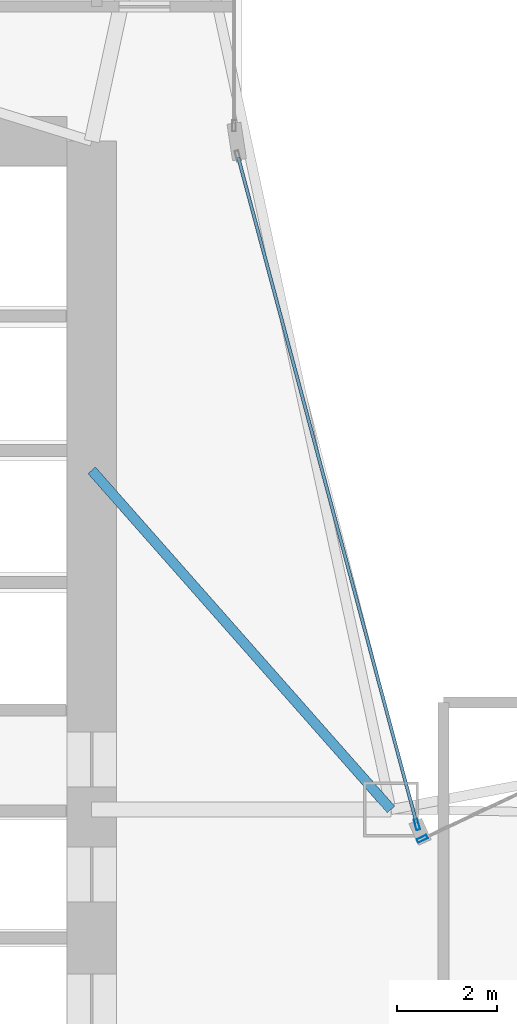
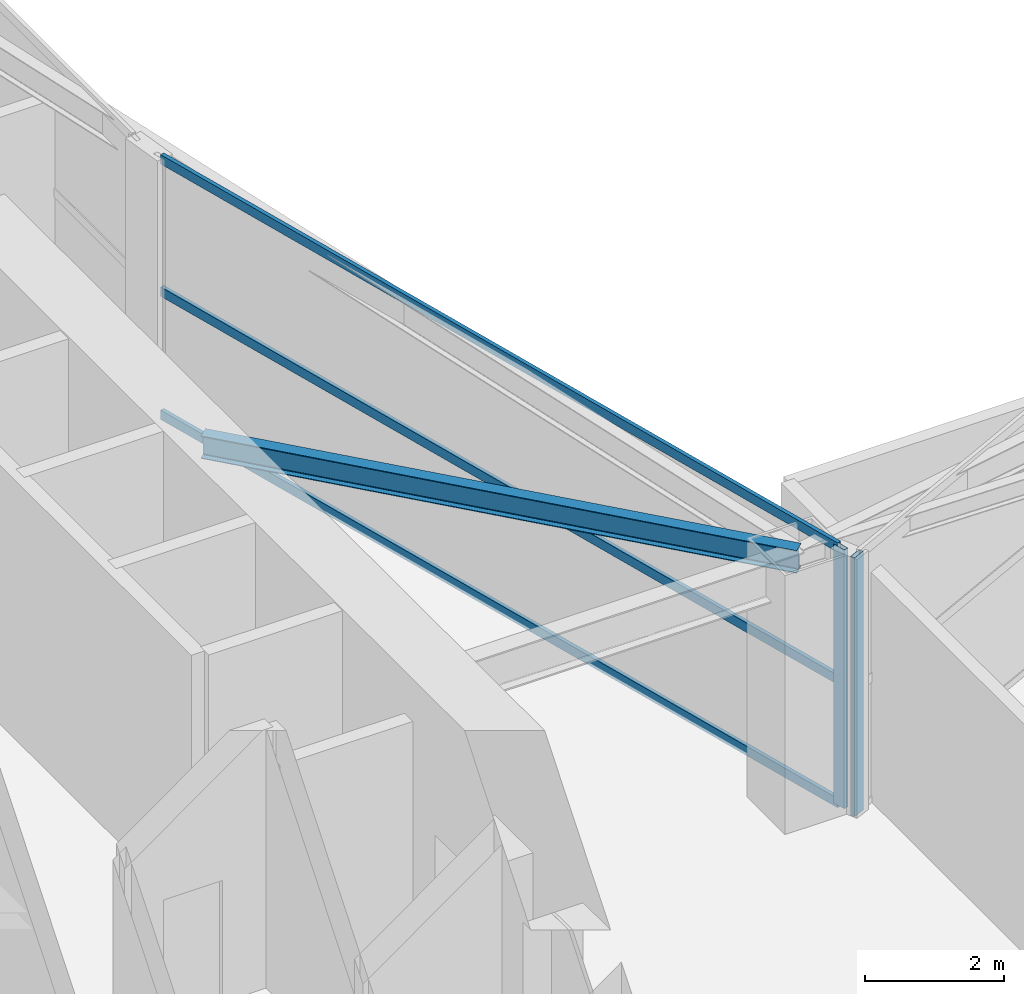
# One storey, part 2 of 18: 5 members, 1 beam, 2 elements without a shape of their own.
"""IFC4 building model written with IfcOpenShell, lengths in metres."""

from ifc_helpers import new_model, si_unit, direction, frame, origin, origin_2d, place, context, subcontext, project, spatial, hollow_rectangle, i_section, extrude, material, layer, layer_set, material_profile, profile_set, type_object, element, aggregate, save


model = new_model("IFC4")

# Units and contexts
model_context = context("Model", 3, precision=1e-05, world=origin(), true_north=direction((0.0, 1.0)))
body_context = subcontext(model_context, "Body", "Model", "MODEL_VIEW")
ifc_project = project(units=[si_unit("LENGTHUNIT", "METRE"), si_unit("AREAUNIT", "SQUARE_METRE"), si_unit("VOLUMEUNIT", "CUBIC_METRE"), si_unit("PLANEANGLEUNIT", "RADIAN"), si_unit("MASSUNIT", "GRAM", prefix="KILO")], contexts=[model_context])

# Site, building, storey
site_placement = place(None, origin())
site = spatial("IfcSite", under=ifc_project, at=site_placement, CompositionType="ELEMENT")
building_placement = place(site_placement, origin())
building = spatial("IfcBuilding", under=site, at=building_placement, Name="Calvorn Quay Hotel", CompositionType="ELEMENT")
storey_placement = place(building_placement, frame((0.0, 0.0, 46.0)))
storey = spatial("IfcBuildingStorey", under=building, at=storey_placement, Name="L10", CompositionType="ELEMENT", Elevation=46.0)

# Beam
ifc_material_1 = material(Name="Steel Q355B", Category="steel")
ifc_material_profile_1 = material_profile(ifc_material_1, i_section(OverallWidth=0.199951171875, OverallDepth=0.39990234375, WebThickness=0.008056640625, FlangeThickness=0.012939453125, FilletRadius=0.01611328125, at=origin_2d()), Name="HN400x200x8x13")
ifc_profile_set_1 = profile_set([ifc_material_profile_1], Name="Steel Q355B")
beam_type = type_object("IfcBeamType", Name="BM-JOIST-TYP", PredefinedType="JOIST", material=ifc_profile_set_1)
beam_placement = place(storey_placement, frame((15.0, 31.800048828125, 4.340087890625), z_axis=(0.661618965899, -0.749840212287, 0.0), x_axis=(0.749840212287, 0.661618965899, 0.0)))
element("IfcBeam", 1, at=beam_placement, inside=storey, type_object=beam_type, Name="Beam BJ-L10-C1", PredefinedType="JOIST", context=body_context, shape_type="SweptSolid", body=[
    extrude(i_section(OverallWidth=0.199951171875, OverallDepth=0.39990234375, WebThickness=0.008056640625, FlangeThickness=0.012939453125, FilletRadius=0.01611328125, at=origin_2d()), origin(), (0.0, 0.0, 1.0), 9.068603515625),
])

# Curtain wall, member
ifc_material_2 = material(Name="Pale Anodised Aluminium and Low-E Glass", Category="aluminium")
ifc_layer = layer(ifc_material_2, 0.219970703125)
ifc_layer_set = layer_set([ifc_layer], Name="CW-SYS-Z1")
curtain_wall_type = type_object("IfcCurtainWallType", Name="CW-SYS-Z1", PredefinedType="NOTDEFINED", material=ifc_layer_set)
curtain_wall_1_placement = place(storey_placement, origin())
curtain_wall_1 = element("IfcCurtainWall", 2, at=curtain_wall_1_placement, inside=storey, type_object=curtain_wall_type, Name="Inner Court Curtain Wall L10-NE1", PredefinedType="NOTDEFINED")
ifc_material_3 = material(Name="Pale Anodised Aluminium 6063-T6", Category="aluminium")
ifc_material_profile_2 = material_profile(ifc_material_3, hollow_rectangle(XDim=0.074951171875, YDim=0.219970703125, WallThickness=0.00439453125, at=origin_2d()), Name="ALU-M220x75x4.5")
ifc_profile_set_2 = profile_set([ifc_material_profile_2], Name="Pale Anodised Aluminium 6063-T6")
member_type_1 = type_object("IfcMemberType", Name="CW-SYS-Z1-MUL", PredefinedType="MULLION", material=ifc_profile_set_2)
member_1_placement = place(storey_placement, frame((21.627197265625, 24.412841796875, 0.0), z_axis=(0.0, 0.0, 1.0), x_axis=(0.427006305415, -0.904248646743, 0.0)))
member_1 = element("IfcMember", 3, at=member_1_placement, type_object=member_type_1, Name="CW-L10-NE1 mullion 4", PredefinedType="MULLION", context=body_context, shape_type="SweptSolid", body=[
    extrude(hollow_rectangle(XDim=0.074951171875, YDim=0.219970703125, WallThickness=0.00439453125, at=origin_2d()), origin(), (0.0, 0.0, 1.0), 4.56005859375),
])
aggregate(curtain_wall_1, [member_1])

# Curtain wall, members
curtain_wall_2_placement = place(storey_placement, origin())
curtain_wall_2 = element("IfcCurtainWall", 4, at=curtain_wall_2_placement, inside=storey, type_object=curtain_wall_type, Name="Inner Court Curtain Wall L10-IC1", PredefinedType="NOTDEFINED")
member_2_placement = place(storey_placement, frame((21.520263671875, 24.698974609375, 0.0), z_axis=(0.0, 0.0, 1.0), x_axis=(-0.96593652056, -0.25877913024, 0.0)))
member_2 = element("IfcMember", 5, at=member_2_placement, type_object=member_type_1, Name="CW-L10-IC1 mullion 1", PredefinedType="MULLION", context=body_context, shape_type="SweptSolid", body=[
    extrude(hollow_rectangle(XDim=0.074951171875, YDim=0.219970703125, WallThickness=0.00439453125, at=origin_2d()), origin(), (0.0, 0.0, 1.0), 4.56005859375),
])
ifc_material_4 = material(Name="Pale Anodised Aluminium 6063-T6", Category="aluminium")
ifc_material_profile_3 = material_profile(ifc_material_4, hollow_rectangle(XDim=0.06494140625, YDim=0.1650390625, WallThickness=0.00341796875, at=origin_2d()), Name="ALU-T165x65x3.5")
ifc_profile_set_3 = profile_set([ifc_material_profile_3], Name="Pale Anodised Aluminium 6063-T6")
member_type_2 = type_object("IfcMemberType", Name="CW-SYS-Z1-TRN", PredefinedType="USERDEFINED", material=ifc_profile_set_3)
member_3_placement = place(storey_placement, frame((21.512451171875, 24.72802734375, 0.030029296875), z_axis=(-0.258781136883, 0.965935982969, 0.0), x_axis=(-0.965935982969, -0.258781136883, 0.0)))
member_3 = element("IfcMember", 6, at=member_3_placement, type_object=member_type_2, Name="CW-L10-IC1 transom 1.1", ObjectType="TRANSOM", PredefinedType="USERDEFINED", context=body_context, shape_type="SweptSolid", body=[
    extrude(hollow_rectangle(XDim=0.06494140625, YDim=0.1650390625, WallThickness=0.00341796875, at=origin_2d()), origin(), (0.0, 0.0, 1.0), 13.814453125),
])
member_4_placement = place(storey_placement, frame((21.512451171875, 24.72802734375, 2.199951171875), z_axis=(-0.258781136883, 0.965935982969, 0.0), x_axis=(-0.965935982969, -0.258781136883, 0.0)))
member_4 = element("IfcMember", 7, at=member_4_placement, type_object=member_type_2, Name="CW-L10-IC1 transom 1.2", ObjectType="TRANSOM", PredefinedType="USERDEFINED", context=body_context, shape_type="SweptSolid", body=[
    extrude(hollow_rectangle(XDim=0.06494140625, YDim=0.1650390625, WallThickness=0.00341796875, at=origin_2d()), origin(), (0.0, 0.0, 1.0), 13.814453125),
])
member_5_placement = place(storey_placement, frame((21.512451171875, 24.72802734375, 4.530029296875), z_axis=(-0.258781136883, 0.965935982969, 0.0), x_axis=(-0.965935982969, -0.258781136883, 0.0)))
member_5 = element("IfcMember", 8, at=member_5_placement, type_object=member_type_2, Name="CW-L10-IC1 transom 1.3", ObjectType="TRANSOM", PredefinedType="USERDEFINED", context=body_context, shape_type="SweptSolid", body=[
    extrude(hollow_rectangle(XDim=0.06494140625, YDim=0.1650390625, WallThickness=0.00341796875, at=origin_2d()), origin(), (0.0, 0.0, 1.0), 13.814453125),
])
aggregate(curtain_wall_2, [member_2, member_3, member_4, member_5])

save(model, "model.ifc")
